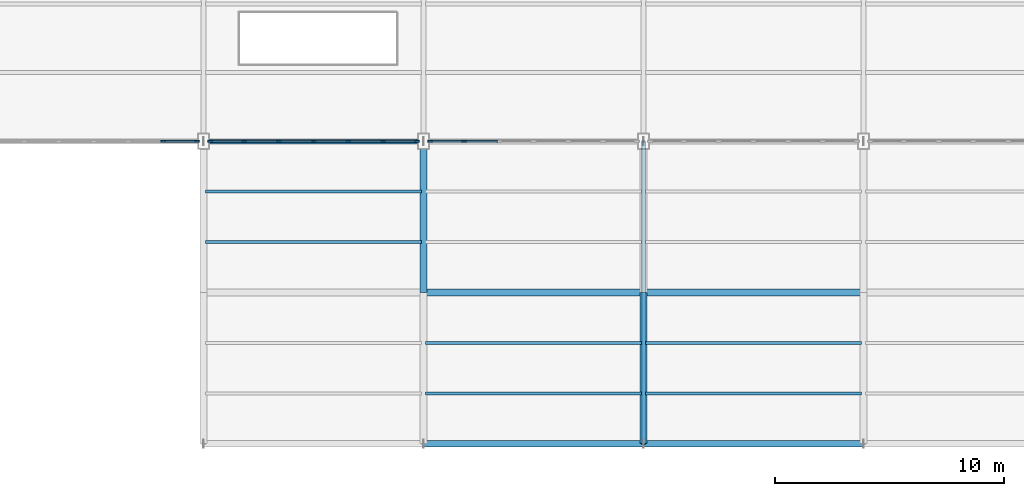
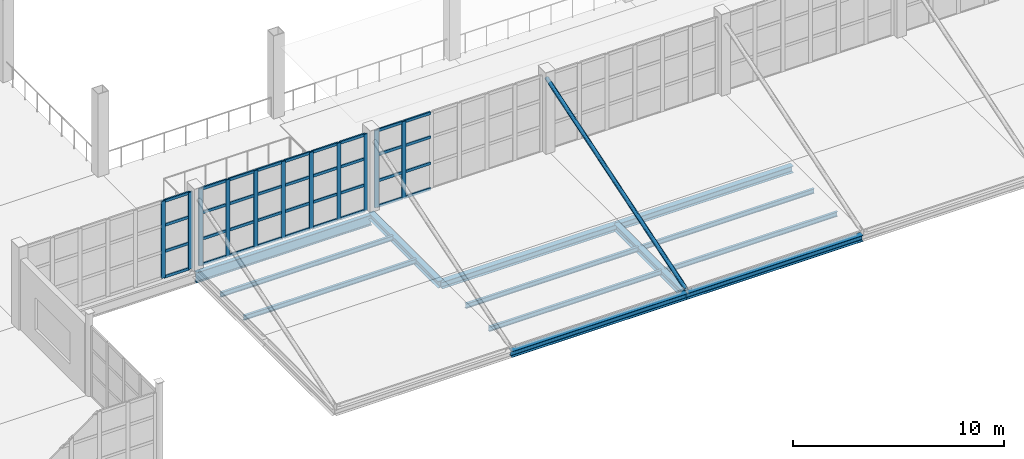
# One storey, part 27 of 120: 48 members, 13 beams, 3 elements without a shape of their own.
"""IFC4 building model written with IfcOpenShell, lengths in metres."""

import ifcopenshell
import ifcopenshell.guid

model = None  # the IFC model being written
_history = None  # IfcOwnerHistory: only IFC2X3 demands one
_inside = {}  # id of a spatial element -> (the spatial element, [elements in it])
_under = {}  # id of a project, library or spatial element -> (it, [spatial elements below it])
_declared = {}  # id of a project -> (the project, [libraries it declares])
_typed = {}  # id of a type object -> (the type object, [elements of that type])
_made_of = {}  # id of a material, layer set ... -> (it, [elements and type objects made of it])


def new_model(schema):
    """Start an empty IFC model of exactly this schema.

    Asked for "IFC4X3", IfcOpenShell would pick the latest addendum, in which some entities
    have other attributes; the version numbers below select the first issue.
    IFC2X3 requires an IfcOwnerHistory on every rooted entity: one is made here for all.
    """
    global model, _history
    if schema == "IFC4X3":
        model = ifcopenshell.file(schema_version=(4, 3, 0, 0))
    else:
        model = ifcopenshell.file(schema=schema)
    _inside.clear()
    _under.clear()
    _declared.clear()
    _typed.clear()
    _made_of.clear()
    _history = None
    if model.schema == "IFC2X3":
        org = make("IfcOrganization", Name="unknown")
        user = make(
            "IfcPersonAndOrganization",
            ThePerson=make("IfcPerson", FamilyName="unknown"),
            TheOrganization=org,
        )
        app = make(
            "IfcApplication",
            ApplicationDeveloper=org,
            Version="unknown",
            ApplicationFullName="unknown",
            ApplicationIdentifier="unknown",
        )
        _history = make(
            "IfcOwnerHistory",
            OwningUser=user,
            OwningApplication=app,
            ChangeAction="ADDED",
            CreationDate=0,
        )
    return model


def make(cls, **values):
    """One entity of the class cls with the attributes given. An attribute that is None is left unset."""
    return model.create_entity(
        cls, **{name: value for name, value in values.items() if value is not None}
    )


def rooted(cls, **values):
    """An entity with a GlobalId (a new one), such as an element, a storey or a relation."""
    return make(cls, GlobalId=ifcopenshell.guid.new(), OwnerHistory=_history, **values)


def si_unit(unit_type, name, prefix=None):
    """IfcSIUnit, for example si_unit("LENGTHUNIT", "METRE", prefix="MILLI")."""
    return make("IfcSIUnit", UnitType=unit_type, Prefix=prefix, Name=name)


def assignment(units):
    """IfcUnitAssignment: the units of a project."""
    return None if units is None else make("IfcUnitAssignment", Units=units)


def point(xyz):
    """IfcCartesianPoint."""
    return None if xyz is None else make("IfcCartesianPoint", Coordinates=xyz)


def direction(xyz):
    """IfcDirection."""
    return None if xyz is None else make("IfcDirection", DirectionRatios=xyz)


def frame(location, z_axis=None, x_axis=None):
    """IfcAxis2Placement3D, a coordinate frame: its origin and axes. An axis left out is left unset."""
    return make(
        "IfcAxis2Placement3D",
        Location=point(location),
        Axis=direction(z_axis),
        RefDirection=direction(x_axis),
    )


def frame_2d(location, x_axis=None):
    """IfcAxis2Placement2D, a coordinate frame in the plane: its origin and x axis."""
    return make(
        "IfcAxis2Placement2D", Location=point(location), RefDirection=direction(x_axis)
    )


def origin():
    """The frame at (0, 0, 0) with its axes left unset."""
    return frame((0.0, 0.0, 0.0))


def origin_2d():
    """The frame at (0, 0) in the plane with its x axis left unset."""
    return frame_2d((0.0, 0.0))


def place(relative_to, where):
    """IfcLocalPlacement: puts the frame where relative to a parent placement (None: the world)."""
    return make(
        "IfcLocalPlacement", PlacementRelTo=relative_to, RelativePlacement=where
    )


def context(
    kind, dimensions, precision=None, world=None, true_north=None, identifier=None
):
    """IfcGeometricRepresentationContext, for example the 3D "Model" context."""
    return make(
        "IfcGeometricRepresentationContext",
        ContextIdentifier=identifier,
        ContextType=kind,
        CoordinateSpaceDimension=dimensions,
        Precision=precision,
        WorldCoordinateSystem=world,
        TrueNorth=true_north,
    )


def subcontext(parent, identifier, kind, view, scale=None):
    """IfcGeometricRepresentationSubContext, for example "Body" below "Model"."""
    return make(
        "IfcGeometricRepresentationSubContext",
        ContextIdentifier=identifier,
        ContextType=kind,
        ParentContext=parent,
        TargetScale=scale,
        TargetView=view,
    )


def project(units=None, contexts=None):
    """IfcProject with its units and contexts."""
    return rooted(
        "IfcProject",
        Name="project",
        RepresentationContexts=contexts,
        UnitsInContext=assignment(units),
    )


def spatial(cls, under=None, at=None, **own):
    """A site, building, storey or space (cls), placed at a placement, below another one or the project."""
    s = rooted(cls, ObjectPlacement=at, **own)
    if under is not None:
        _under.setdefault(under.id(), (under, []))[1].append(s)
    return s


def profile(cls, at=None, kind="AREA", **sizes):
    """A parametric profile (cls). Its sizes go by their IFC names, for example OverallWidth=200.0."""
    return make(cls, ProfileType=kind, Position=at, **sizes)


def rectangle(**sizes):
    """IfcRectangleProfileDef."""
    return profile("IfcRectangleProfileDef", **sizes)


def hollow_circle(**sizes):
    """IfcCircleHollowProfileDef."""
    return profile("IfcCircleHollowProfileDef", **sizes)


def i_section(**sizes):
    """IfcIShapeProfileDef."""
    return profile("IfcIShapeProfileDef", **sizes)


def extrude(swept, where, along, depth):
    """IfcExtrudedAreaSolid: the profile swept, set in the frame where, extruded along a direction by depth."""
    return make(
        "IfcExtrudedAreaSolid",
        SweptArea=swept,
        Position=where,
        ExtrudedDirection=direction(along),
        Depth=depth,
    )


def shape(context_of_items, identifier, shape_type, items):
    """IfcShapeRepresentation: the items that make up one representation, for example the "Body"."""
    return make(
        "IfcShapeRepresentation",
        ContextOfItems=context_of_items,
        RepresentationIdentifier=identifier,
        RepresentationType=shape_type,
        Items=items,
    )


def material(Name=None, Category=None):
    """IfcMaterial."""
    return make("IfcMaterial", Name=Name, Category=Category)


def layer(
    of_material, thickness, ventilated=None, Name=None, Category=None, Priority=None
):
    """IfcMaterialLayer: one layer of a wall or slab, of a material (None: an air gap)."""
    return make(
        "IfcMaterialLayer",
        Material=of_material,
        LayerThickness=thickness,
        IsVentilated=ventilated,
        Name=Name,
        Category=Category,
        Priority=Priority,
    )


def layer_set(layers, Name=None):
    """IfcMaterialLayerSet."""
    return make("IfcMaterialLayerSet", MaterialLayers=layers, LayerSetName=Name)


def material_profile(
    of_material, cross_section, Name=None, Category=None, Priority=None
):
    """IfcMaterialProfile: a cross section and its material."""
    return make(
        "IfcMaterialProfile",
        Name=Name,
        Material=of_material,
        Profile=cross_section,
        Priority=Priority,
        Category=Category,
    )


def profile_set(profiles, Name=None, composite=None):
    """IfcMaterialProfileSet."""
    return make(
        "IfcMaterialProfileSet",
        Name=Name,
        MaterialProfiles=profiles,
        CompositeProfile=composite,
    )


def made_of(thing, what):
    """Note that an element or type object is made of a material, layer set ...; save() writes the relation."""
    if what is not None:
        _made_of.setdefault(what.id(), (what, []))[1].append(thing)
    return thing


def type_object(cls, material=None, **own):
    """A type object (cls), such as IfcWallType, which elements share."""
    return made_of(rooted(cls, **own), material)


def element(
    cls,
    number,
    at=None,
    inside=None,
    cuts=None,
    type_object=None,
    material=None,
    context=None,
    identifier="Body",
    shape_type=None,
    held_by="IfcProductDefinitionShape",
    body=None,
    shapes=None,
    **own,
):
    """One element of the class cls, such as IfcWall. Its Tag is "e" and its number.

    at: its placement. inside: the storey or other place that contains it. cuts: it is an
    opening in that element (IfcRelVoidsElement). A single representation is given by context,
    identifier, shape_type and body (its items); several are given by shapes. held_by: the class
    of the entity that holds the representations. save() writes the other relations.
    """
    e = rooted(cls, Tag="e%d" % number, ObjectPlacement=at, **own)
    if body is not None:
        shapes = [shape(context, identifier, shape_type, body)]
    if shapes is not None:
        e.Representation = make(held_by, Representations=shapes)
    if inside is not None:
        _inside.setdefault(inside.id(), (inside, []))[1].append(e)
    if cuts is not None:
        rooted(
            "IfcRelVoidsElement", RelatingBuildingElement=cuts, RelatedOpeningElement=e
        )
    if type_object is not None:
        _typed.setdefault(type_object.id(), (type_object, []))[1].append(e)
    return made_of(e, material)


def aggregate(whole, parts):
    """IfcRelAggregates: a whole, such as a stair, and the parts it consists of."""
    return rooted("IfcRelAggregates", RelatingObject=whole, RelatedObjects=parts)


def save(model, path):
    """Write the relations noted so far, then the file.

    IfcRelAggregates (storeys below a building ...), IfcRelContainedInSpatialStructure (elements
    in a storey), IfcRelDefinesByType, IfcRelAssociatesMaterial and IfcRelDeclares: one each for
    every whole, place, type object, material and project.
    """
    for whole, parts in _under.values():
        aggregate(whole, parts)
    for where, things in _inside.values():
        rooted(
            "IfcRelContainedInSpatialStructure",
            RelatedElements=things,
            RelatingStructure=where,
        )
    for kind, things in _typed.values():
        rooted("IfcRelDefinesByType", RelatedObjects=things, RelatingType=kind)
    for what, things in _made_of.values():
        rooted("IfcRelAssociatesMaterial", RelatedObjects=things, RelatingMaterial=what)
    for by, libraries in _declared.values():
        rooted("IfcRelDeclares", RelatingContext=by, RelatedDefinitions=libraries)
    model.write(path)


model = new_model("IFC4")

# Units and contexts
model_context = context("Model", 3, precision=1e-05, world=origin(), true_north=direction((0.0, 1.0)))
body_context = subcontext(model_context, "Body", "Model", "MODEL_VIEW")
ifc_project = project(units=[si_unit("LENGTHUNIT", "METRE"), si_unit("AREAUNIT", "SQUARE_METRE"), si_unit("VOLUMEUNIT", "CUBIC_METRE"), si_unit("PLANEANGLEUNIT", "RADIAN"), si_unit("MASSUNIT", "GRAM", prefix="KILO")], contexts=[model_context])

# Site, building, storey
site_placement = place(None, origin())
site = spatial("IfcSite", under=ifc_project, at=site_placement, CompositionType="ELEMENT")
building_placement = place(site_placement, origin())
building = spatial("IfcBuilding", under=site, at=building_placement, Name="Zarnetskaya Central Station", CompositionType="ELEMENT")
storey_placement = place(building_placement, frame((0.0, 0.0, 5.39990234375)))
storey = spatial("IfcBuildingStorey", under=building, at=storey_placement, Name="L01", CompositionType="ELEMENT", Elevation=5.39990234375)

# Beams
ifc_material_1 = material(Name="Steel S355", Category="steel")
ifc_material_profile_1 = material_profile(ifc_material_1, i_section(OverallWidth=0.135009765625, OverallDepth=0.27001953125, WebThickness=0.006591796875, FlangeThickness=0.01025390625, FilletRadius=0.014892578125, at=origin_2d()), Name="IPE 270")
ifc_profile_set_1 = profile_set([ifc_material_profile_1], Name="Steel S355")
beam_type_1 = type_object("IfcBeamType", Name="BM-JST-270", PredefinedType="JOIST", material=ifc_profile_set_1)
for number, where, z_axis, x_axis, name in (
    (1, (67.280029296875, 8.800048828125, -0.294921875), (1.0, 0.0, 0.0), (0.0, 1.0, 0.0), "Secondary floor beam SEC-L01-Z524-HJ-23-1"),
    (2, (67.280029296875, 11.0, -0.294921875), (1.0, 0.0, 0.0), (0.0, 1.0, 0.0), "Secondary floor beam SEC-L01-Z524-HJ-23-2"),
):
    element("IfcBeam", number, at=place(storey_placement, frame(where, z_axis=z_axis, x_axis=x_axis)), inside=storey, type_object=beam_type_1, Name=name, PredefinedType="JOIST", context=body_context, shape_type="SweptSolid", body=[
        extrude(i_section(OverallWidth=0.135009765625, OverallDepth=0.27001953125, WebThickness=0.006591796875, FlangeThickness=0.01025390625, FilletRadius=0.014892578125, at=origin_2d()), origin(), (0.0, 0.0, 1.0), 9.43994140625),
    ])
for number, where, z_axis, x_axis, name in (
    (3, (76.8798828125, 2.199951171875, -0.294921875), (1.0, 0.0, 0.0), (0.0, 1.0, 0.0), "Secondary floor beam SEC-L01-Z524-JK-12-1"),
    (4, (76.8798828125, 4.39990234375, -0.294921875), (1.0, 0.0, 0.0), (0.0, 1.0, 0.0), "Secondary floor beam SEC-L01-Z524-JK-12-2"),
):
    element("IfcBeam", number, at=place(storey_placement, frame(where, z_axis=z_axis, x_axis=x_axis)), inside=storey, type_object=beam_type_1, Name=name, PredefinedType="JOIST", context=body_context, shape_type="SweptSolid", body=[
        extrude(i_section(OverallWidth=0.135009765625, OverallDepth=0.27001953125, WebThickness=0.006591796875, FlangeThickness=0.01025390625, FilletRadius=0.014892578125, at=origin_2d()), origin(), (0.0, 0.0, 1.0), 9.440185546875),
    ])
for number, where, z_axis, x_axis, name in (
    (5, (86.47998046875, 2.199951171875, -0.294921875), (1.0, 0.0, 0.0), (0.0, 1.0, 0.0), "Secondary floor beam SEC-L01-Z524-KL-12-1"),
    (6, (86.47998046875, 4.39990234375, -0.294921875), (1.0, 0.0, 0.0), (0.0, 1.0, 0.0), "Secondary floor beam SEC-L01-Z524-KL-12-2"),
):
    element("IfcBeam", number, at=place(storey_placement, frame(where, z_axis=z_axis, x_axis=x_axis)), inside=storey, type_object=beam_type_1, Name=name, PredefinedType="JOIST", context=body_context, shape_type="SweptSolid", body=[
        extrude(i_section(OverallWidth=0.135009765625, OverallDepth=0.27001953125, WebThickness=0.006591796875, FlangeThickness=0.01025390625, FilletRadius=0.014892578125, at=origin_2d()), origin(), (0.0, 0.0, 1.0), 9.43994140625),
    ])
ifc_material_profile_2 = material_profile(ifc_material_1, i_section(OverallWidth=0.300048828125, OverallDepth=0.35009765625, WebThickness=0.010009765625, FlangeThickness=0.017578125, FilletRadius=0.027099609375, at=origin_2d()), Name="HEA 360")
ifc_profile_set_2 = profile_set([ifc_material_profile_2], Name="Steel S355")
beam_type_2 = type_object("IfcBeamType", Name="BM-SPN-EAVE", PredefinedType="SPANDREL", material=ifc_profile_set_2)
beam_1_placement = place(storey_placement, frame((76.800048828125, 0.0, -0.3349609375), z_axis=(1.0, 0.0, 0.0), x_axis=(0.0, 1.0, 0.0)))
element("IfcBeam", 7, at=beam_1_placement, inside=storey, type_object=beam_type_2, Name="Grid girder GX-L01-1-JK", PredefinedType="SPANDREL", context=body_context, shape_type="SweptSolid", body=[
    extrude(i_section(OverallWidth=0.300048828125, OverallDepth=0.35009765625, WebThickness=0.010009765625, FlangeThickness=0.017578125, FilletRadius=0.027099609375, at=origin_2d()), origin(), (0.0, 0.0, 1.0), 9.599853515625),
])
beam_2_placement = place(storey_placement, frame((86.39990234375, 0.0, -0.3349609375), z_axis=(1.0, 0.0, 0.0), x_axis=(0.0, 1.0, 0.0)))
element("IfcBeam", 8, at=beam_2_placement, inside=storey, type_object=beam_type_2, Name="Grid girder GX-L01-1-KL", PredefinedType="SPANDREL", context=body_context, shape_type="SweptSolid", body=[
    extrude(i_section(OverallWidth=0.300048828125, OverallDepth=0.35009765625, WebThickness=0.010009765625, FlangeThickness=0.017578125, FilletRadius=0.027099609375, at=origin_2d()), origin(), (0.0, 0.0, 1.0), 9.60009765625),
])

# Curtain wall, members
ifc_material_2 = material(Name="Low-E insulated glass", Category="glass")
ifc_layer_1 = layer(ifc_material_2, 0.16796875, Name="Low-E insulated glass", Category="glass")
ifc_layer_set_1 = layer_set([ifc_layer_1], Name="Low-E insulated glass")
curtain_wall_type_1 = type_object("IfcCurtainWallType", Name="CW-SYS-08", PredefinedType="USERDEFINED", material=ifc_layer_set_1)
curtain_wall_1_placement = place(storey_placement, origin())
curtain_wall_1 = element("IfcCurtainWall", 9, at=curtain_wall_1_placement, inside=storey, type_object=curtain_wall_type_1, Name="Curtain wall CW-L01-074", ObjectType="CURTAIN WALL", PredefinedType="USERDEFINED")
ifc_material_3 = material(Name="Anodised aluminium", Category="aluminium")
ifc_material_profile_3 = material_profile(ifc_material_3, rectangle(XDim=0.080078125, YDim=0.219970703125, at=origin_2d()), Name="ALU MULL 80x220")
ifc_profile_set_3 = profile_set([ifc_material_profile_3], Name="Anodised aluminium")
member_type_1 = type_object("IfcMemberType", Name="CW-MULL-220", PredefinedType="MULLION", material=ifc_profile_set_3)
member_1_placement = place(storey_placement, frame((66.909912109375, 13.199951171875, 0.0), z_axis=(0.0, 0.0, 1.0), x_axis=(0.0, -1.0, 0.0)))
member_1 = element("IfcMember", 10, at=member_1_placement, type_object=member_type_1, Name="CW-16 mullion 1", PredefinedType="MULLION", context=body_context, shape_type="SweptSolid", body=[
    extrude(rectangle(XDim=0.080078125, YDim=0.219970703125, at=origin_2d()), origin(), (0.0, 0.0, 1.0), 4.4501953125),
])
member_2_placement = place(storey_placement, frame((65.433349609375, 13.199951171875, 0.0), z_axis=(0.0, 0.0, 1.0), x_axis=(0.0, -1.0, 0.0)))
member_2 = element("IfcMember", 11, at=member_2_placement, type_object=member_type_1, Name="CW-16 mullion 2", PredefinedType="MULLION", context=body_context, shape_type="SweptSolid", body=[
    extrude(rectangle(XDim=0.080078125, YDim=0.219970703125, at=origin_2d()), origin(), (0.0, 0.0, 1.0), 4.4501953125),
])

ifc_layer_2 = layer(ifc_material_2, 0.172119140625, Name="Low-E insulated glass", Category="glass")
ifc_layer_set_2 = layer_set([ifc_layer_2], Name="Low-E insulated glass")
curtain_wall_type_2 = type_object("IfcCurtainWallType", Name="CW-SYS-09", PredefinedType="USERDEFINED", material=ifc_layer_set_2)
curtain_wall_2_placement = place(storey_placement, origin())
curtain_wall_2 = element("IfcCurtainWall", 12, at=curtain_wall_2_placement, inside=storey, type_object=curtain_wall_type_2, Name="Curtain wall CW-L01-076", ObjectType="CURTAIN WALL", PredefinedType="USERDEFINED")
member_3_placement = place(storey_placement, frame((76.510009765625, 13.199951171875, 0.0), z_axis=(0.0, 0.0, 1.0), x_axis=(0.0, -1.0, 0.0)))
member_3 = element("IfcMember", 13, at=member_3_placement, type_object=member_type_1, Name="CW-07 mullion 1", PredefinedType="MULLION", context=body_context, shape_type="SweptSolid", body=[
    extrude(rectangle(XDim=0.080078125, YDim=0.219970703125, at=origin_2d()), origin(), (0.0, 0.0, 1.0), 4.4501953125),
])
member_4_placement = place(storey_placement, frame((75.033447265625, 13.199951171875, 0.0), z_axis=(0.0, 0.0, 1.0), x_axis=(0.0, -1.0, 0.0)))
member_4 = element("IfcMember", 14, at=member_4_placement, type_object=member_type_1, Name="CW-07 mullion 2", PredefinedType="MULLION", context=body_context, shape_type="SweptSolid", body=[
    extrude(rectangle(XDim=0.080078125, YDim=0.219970703125, at=origin_2d()), origin(), (0.0, 0.0, 1.0), 4.4501953125),
])
member_5_placement = place(storey_placement, frame((73.5166015625, 13.199951171875, 0.0), z_axis=(0.0, 0.0, 1.0), x_axis=(0.0, -1.0, 0.0)))
member_5 = element("IfcMember", 15, at=member_5_placement, type_object=member_type_1, Name="CW-07 mullion 3", PredefinedType="MULLION", context=body_context, shape_type="SweptSolid", body=[
    extrude(rectangle(XDim=0.080078125, YDim=0.219970703125, at=origin_2d()), origin(), (0.0, 0.0, 1.0), 4.4501953125),
])
member_6_placement = place(storey_placement, frame((72.0, 13.199951171875, 0.0), z_axis=(0.0, 0.0, 1.0), x_axis=(0.0, -1.0, 0.0)))
member_6 = element("IfcMember", 16, at=member_6_placement, type_object=member_type_1, Name="CW-07 mullion 4", PredefinedType="MULLION", context=body_context, shape_type="SweptSolid", body=[
    extrude(rectangle(XDim=0.080078125, YDim=0.219970703125, at=origin_2d()), origin(), (0.0, 0.0, 1.0), 4.4501953125),
])
member_7_placement = place(storey_placement, frame((70.4833984375, 13.199951171875, 0.0), z_axis=(0.0, 0.0, 1.0), x_axis=(0.0, -1.0, 0.0)))
member_7 = element("IfcMember", 17, at=member_7_placement, type_object=member_type_1, Name="CW-07 mullion 5", PredefinedType="MULLION", context=body_context, shape_type="SweptSolid", body=[
    extrude(rectangle(XDim=0.080078125, YDim=0.219970703125, at=origin_2d()), origin(), (0.0, 0.0, 1.0), 4.4501953125),
])
member_8_placement = place(storey_placement, frame((68.966552734375, 13.199951171875, 0.0), z_axis=(0.0, 0.0, 1.0), x_axis=(0.0, -1.0, 0.0)))
member_8 = element("IfcMember", 18, at=member_8_placement, type_object=member_type_1, Name="CW-07 mullion 6", PredefinedType="MULLION", context=body_context, shape_type="SweptSolid", body=[
    extrude(rectangle(XDim=0.080078125, YDim=0.219970703125, at=origin_2d()), origin(), (0.0, 0.0, 1.0), 4.4501953125),
])
member_9_placement = place(storey_placement, frame((67.489990234375, 13.199951171875, 0.0), z_axis=(0.0, 0.0, 1.0), x_axis=(0.0, -1.0, 0.0)))
member_9 = element("IfcMember", 19, at=member_9_placement, type_object=member_type_1, Name="CW-07 mullion 7", PredefinedType="MULLION", context=body_context, shape_type="SweptSolid", body=[
    extrude(rectangle(XDim=0.080078125, YDim=0.219970703125, at=origin_2d()), origin(), (0.0, 0.0, 1.0), 4.4501953125),
])

ifc_layer_3 = layer(ifc_material_2, 0.176025390625, Name="Low-E insulated glass", Category="glass")
ifc_layer_set_3 = layer_set([ifc_layer_3], Name="Low-E insulated glass")
curtain_wall_type_3 = type_object("IfcCurtainWallType", Name="CW-SYS-10", PredefinedType="USERDEFINED", material=ifc_layer_set_3)
curtain_wall_3_placement = place(storey_placement, origin())
curtain_wall_3 = element("IfcCurtainWall", 20, at=curtain_wall_3_placement, inside=storey, type_object=curtain_wall_type_3, Name="Curtain wall CW-L01-078", ObjectType="CURTAIN WALL", PredefinedType="USERDEFINED")
member_10_placement = place(storey_placement, frame((78.566650390625, 13.199951171875, 0.0), z_axis=(0.0, 0.0, 1.0), x_axis=(0.0, -1.0, 0.0)))
member_10 = element("IfcMember", 21, at=member_10_placement, type_object=member_type_1, Name="CW-13 mullion 6", PredefinedType="MULLION", context=body_context, shape_type="SweptSolid", body=[
    extrude(rectangle(XDim=0.080078125, YDim=0.219970703125, at=origin_2d()), origin(), (0.0, 0.0, 1.0), 4.4501953125),
])
member_11_placement = place(storey_placement, frame((77.090087890625, 13.199951171875, 0.0), z_axis=(0.0, 0.0, 1.0), x_axis=(0.0, -1.0, 0.0)))
member_11 = element("IfcMember", 22, at=member_11_placement, type_object=member_type_1, Name="CW-13 mullion 7", PredefinedType="MULLION", context=body_context, shape_type="SweptSolid", body=[
    extrude(rectangle(XDim=0.080078125, YDim=0.219970703125, at=origin_2d()), origin(), (0.0, 0.0, 1.0), 4.4501953125),
])

# Member
ifc_material_profile_4 = material_profile(ifc_material_3, rectangle(XDim=0.080078125, YDim=0.159912109375, at=origin_2d()), Name="ALU TRAN 80x160")
ifc_profile_set_4 = profile_set([ifc_material_profile_4], Name="Anodised aluminium")
member_type_2 = type_object("IfcMemberType", Name="CW-TRAN-160", PredefinedType="USERDEFINED", material=ifc_profile_set_4)
member_12_placement = place(storey_placement, frame((66.8701171875, 13.199951171875, 0.0400390625), z_axis=(-1.0, 0.0, 0.0), x_axis=(0.0, -1.0, 0.0)))
member_12 = element("IfcMember", 23, at=member_12_placement, type_object=member_type_2, Name="CW-16 transom 1.1", ObjectType="TRANSOM", PredefinedType="USERDEFINED", context=body_context, shape_type="SweptSolid", body=[
    extrude(rectangle(XDim=0.080078125, YDim=0.159912109375, at=origin_2d()), origin(), (0.0, 0.0, 1.0), 1.396728515625),
])

member_13_placement = place(storey_placement, frame((66.8701171875, 13.199951171875, 1.51318359375), z_axis=(-1.0, 0.0, 0.0), x_axis=(0.0, -1.0, 0.0)))
member_13 = element("IfcMember", 24, at=member_13_placement, type_object=member_type_2, Name="CW-16 transom 1.2", ObjectType="TRANSOM", PredefinedType="USERDEFINED", context=body_context, shape_type="SweptSolid", body=[
    extrude(rectangle(XDim=0.080078125, YDim=0.159912109375, at=origin_2d()), origin(), (0.0, 0.0, 1.0), 1.396728515625),
])

member_14_placement = place(storey_placement, frame((66.8701171875, 13.199951171875, 3.026123046875), z_axis=(-1.0, 0.0, 0.0), x_axis=(0.0, -1.0, 0.0)))
member_14 = element("IfcMember", 25, at=member_14_placement, type_object=member_type_2, Name="CW-16 transom 1.3", ObjectType="TRANSOM", PredefinedType="USERDEFINED", context=body_context, shape_type="SweptSolid", body=[
    extrude(rectangle(XDim=0.080078125, YDim=0.159912109375, at=origin_2d()), origin(), (0.0, 0.0, 1.0), 1.396728515625),
])

member_15_placement = place(storey_placement, frame((66.8701171875, 13.199951171875, 4.41015625), z_axis=(-1.0, 0.0, 0.0), x_axis=(0.0, -1.0, 0.0)))
member_15 = element("IfcMember", 26, at=member_15_placement, type_object=member_type_2, Name="CW-16 transom 1.4", ObjectType="TRANSOM", PredefinedType="USERDEFINED", context=body_context, shape_type="SweptSolid", body=[
    extrude(rectangle(XDim=0.080078125, YDim=0.159912109375, at=origin_2d()), origin(), (0.0, 0.0, 1.0), 1.396728515625),
])

aggregate(curtain_wall_1, [member_1, member_2, member_12, member_13, member_14, member_15])

member_16_placement = place(storey_placement, frame((76.469970703125, 13.199951171875, 0.0400390625), z_axis=(-1.0, 0.0, 0.0), x_axis=(0.0, -1.0, 0.0)))
member_16 = element("IfcMember", 27, at=member_16_placement, type_object=member_type_2, Name="CW-07 transom 1.1", ObjectType="TRANSOM", PredefinedType="USERDEFINED", context=body_context, shape_type="SweptSolid", body=[
    extrude(rectangle(XDim=0.080078125, YDim=0.159912109375, at=origin_2d()), origin(), (0.0, 0.0, 1.0), 1.396728515625),
])

member_17_placement = place(storey_placement, frame((76.469970703125, 13.199951171875, 1.51318359375), z_axis=(-1.0, 0.0, 0.0), x_axis=(0.0, -1.0, 0.0)))
member_17 = element("IfcMember", 28, at=member_17_placement, type_object=member_type_2, Name="CW-07 transom 1.2", ObjectType="TRANSOM", PredefinedType="USERDEFINED", context=body_context, shape_type="SweptSolid", body=[
    extrude(rectangle(XDim=0.080078125, YDim=0.159912109375, at=origin_2d()), origin(), (0.0, 0.0, 1.0), 1.396728515625),
])

member_18_placement = place(storey_placement, frame((76.469970703125, 13.199951171875, 3.026123046875), z_axis=(-1.0, 0.0, 0.0), x_axis=(0.0, -1.0, 0.0)))
member_18 = element("IfcMember", 29, at=member_18_placement, type_object=member_type_2, Name="CW-07 transom 1.3", ObjectType="TRANSOM", PredefinedType="USERDEFINED", context=body_context, shape_type="SweptSolid", body=[
    extrude(rectangle(XDim=0.080078125, YDim=0.159912109375, at=origin_2d()), origin(), (0.0, 0.0, 1.0), 1.396728515625),
])

member_19_placement = place(storey_placement, frame((76.469970703125, 13.199951171875, 4.41015625), z_axis=(-1.0, 0.0, 0.0), x_axis=(0.0, -1.0, 0.0)))
member_19 = element("IfcMember", 30, at=member_19_placement, type_object=member_type_2, Name="CW-07 transom 1.4", ObjectType="TRANSOM", PredefinedType="USERDEFINED", context=body_context, shape_type="SweptSolid", body=[
    extrude(rectangle(XDim=0.080078125, YDim=0.159912109375, at=origin_2d()), origin(), (0.0, 0.0, 1.0), 1.396728515625),
])

member_20_placement = place(storey_placement, frame((74.993408203125, 13.199951171875, 0.0400390625), z_axis=(-1.0, 0.0, 0.0), x_axis=(0.0, -1.0, 0.0)))
member_20 = element("IfcMember", 31, at=member_20_placement, type_object=member_type_2, Name="CW-07 transom 2.1", ObjectType="TRANSOM", PredefinedType="USERDEFINED", context=body_context, shape_type="SweptSolid", body=[
    extrude(rectangle(XDim=0.080078125, YDim=0.159912109375, at=origin_2d()), origin(), (0.0, 0.0, 1.0), 1.436767578125),
])

member_21_placement = place(storey_placement, frame((74.993408203125, 13.199951171875, 1.51318359375), z_axis=(-1.0, 0.0, 0.0), x_axis=(0.0, -1.0, 0.0)))
member_21 = element("IfcMember", 32, at=member_21_placement, type_object=member_type_2, Name="CW-07 transom 2.2", ObjectType="TRANSOM", PredefinedType="USERDEFINED", context=body_context, shape_type="SweptSolid", body=[
    extrude(rectangle(XDim=0.080078125, YDim=0.159912109375, at=origin_2d()), origin(), (0.0, 0.0, 1.0), 1.436767578125),
])

member_22_placement = place(storey_placement, frame((74.993408203125, 13.199951171875, 3.026123046875), z_axis=(-1.0, 0.0, 0.0), x_axis=(0.0, -1.0, 0.0)))
member_22 = element("IfcMember", 33, at=member_22_placement, type_object=member_type_2, Name="CW-07 transom 2.3", ObjectType="TRANSOM", PredefinedType="USERDEFINED", context=body_context, shape_type="SweptSolid", body=[
    extrude(rectangle(XDim=0.080078125, YDim=0.159912109375, at=origin_2d()), origin(), (0.0, 0.0, 1.0), 1.436767578125),
])

member_23_placement = place(storey_placement, frame((74.993408203125, 13.199951171875, 4.41015625), z_axis=(-1.0, 0.0, 0.0), x_axis=(0.0, -1.0, 0.0)))
member_23 = element("IfcMember", 34, at=member_23_placement, type_object=member_type_2, Name="CW-07 transom 2.4", ObjectType="TRANSOM", PredefinedType="USERDEFINED", context=body_context, shape_type="SweptSolid", body=[
    extrude(rectangle(XDim=0.080078125, YDim=0.159912109375, at=origin_2d()), origin(), (0.0, 0.0, 1.0), 1.436767578125),
])

member_24_placement = place(storey_placement, frame((73.4765625, 13.199951171875, 0.0400390625), z_axis=(-1.0, 0.0, 0.0), x_axis=(0.0, -1.0, 0.0)))
member_24 = element("IfcMember", 35, at=member_24_placement, type_object=member_type_2, Name="CW-07 transom 3.1", ObjectType="TRANSOM", PredefinedType="USERDEFINED", context=body_context, shape_type="SweptSolid", body=[
    extrude(rectangle(XDim=0.080078125, YDim=0.159912109375, at=origin_2d()), origin(), (0.0, 0.0, 1.0), 1.4365234375),
])

member_25_placement = place(storey_placement, frame((73.4765625, 13.199951171875, 1.51318359375), z_axis=(-1.0, 0.0, 0.0), x_axis=(0.0, -1.0, 0.0)))
member_25 = element("IfcMember", 36, at=member_25_placement, type_object=member_type_2, Name="CW-07 transom 3.2", ObjectType="TRANSOM", PredefinedType="USERDEFINED", context=body_context, shape_type="SweptSolid", body=[
    extrude(rectangle(XDim=0.080078125, YDim=0.159912109375, at=origin_2d()), origin(), (0.0, 0.0, 1.0), 1.4365234375),
])

member_26_placement = place(storey_placement, frame((73.4765625, 13.199951171875, 3.026123046875), z_axis=(-1.0, 0.0, 0.0), x_axis=(0.0, -1.0, 0.0)))
member_26 = element("IfcMember", 37, at=member_26_placement, type_object=member_type_2, Name="CW-07 transom 3.3", ObjectType="TRANSOM", PredefinedType="USERDEFINED", context=body_context, shape_type="SweptSolid", body=[
    extrude(rectangle(XDim=0.080078125, YDim=0.159912109375, at=origin_2d()), origin(), (0.0, 0.0, 1.0), 1.4365234375),
])

member_27_placement = place(storey_placement, frame((73.4765625, 13.199951171875, 4.41015625), z_axis=(-1.0, 0.0, 0.0), x_axis=(0.0, -1.0, 0.0)))
member_27 = element("IfcMember", 38, at=member_27_placement, type_object=member_type_2, Name="CW-07 transom 3.4", ObjectType="TRANSOM", PredefinedType="USERDEFINED", context=body_context, shape_type="SweptSolid", body=[
    extrude(rectangle(XDim=0.080078125, YDim=0.159912109375, at=origin_2d()), origin(), (0.0, 0.0, 1.0), 1.4365234375),
])

member_28_placement = place(storey_placement, frame((71.9599609375, 13.199951171875, 0.0400390625), z_axis=(-1.0, 0.0, 0.0), x_axis=(0.0, -1.0, 0.0)))
member_28 = element("IfcMember", 39, at=member_28_placement, type_object=member_type_2, Name="CW-07 transom 4.1", ObjectType="TRANSOM", PredefinedType="USERDEFINED", context=body_context, shape_type="SweptSolid", body=[
    extrude(rectangle(XDim=0.080078125, YDim=0.159912109375, at=origin_2d()), origin(), (0.0, 0.0, 1.0), 1.4365234375),
])

member_29_placement = place(storey_placement, frame((71.9599609375, 13.199951171875, 1.51318359375), z_axis=(-1.0, 0.0, 0.0), x_axis=(0.0, -1.0, 0.0)))
member_29 = element("IfcMember", 40, at=member_29_placement, type_object=member_type_2, Name="CW-07 transom 4.2", ObjectType="TRANSOM", PredefinedType="USERDEFINED", context=body_context, shape_type="SweptSolid", body=[
    extrude(rectangle(XDim=0.080078125, YDim=0.159912109375, at=origin_2d()), origin(), (0.0, 0.0, 1.0), 1.4365234375),
])

member_30_placement = place(storey_placement, frame((71.9599609375, 13.199951171875, 3.026123046875), z_axis=(-1.0, 0.0, 0.0), x_axis=(0.0, -1.0, 0.0)))
member_30 = element("IfcMember", 41, at=member_30_placement, type_object=member_type_2, Name="CW-07 transom 4.3", ObjectType="TRANSOM", PredefinedType="USERDEFINED", context=body_context, shape_type="SweptSolid", body=[
    extrude(rectangle(XDim=0.080078125, YDim=0.159912109375, at=origin_2d()), origin(), (0.0, 0.0, 1.0), 1.4365234375),
])

member_31_placement = place(storey_placement, frame((71.9599609375, 13.199951171875, 4.41015625), z_axis=(-1.0, 0.0, 0.0), x_axis=(0.0, -1.0, 0.0)))
member_31 = element("IfcMember", 42, at=member_31_placement, type_object=member_type_2, Name="CW-07 transom 4.4", ObjectType="TRANSOM", PredefinedType="USERDEFINED", context=body_context, shape_type="SweptSolid", body=[
    extrude(rectangle(XDim=0.080078125, YDim=0.159912109375, at=origin_2d()), origin(), (0.0, 0.0, 1.0), 1.4365234375),
])

member_32_placement = place(storey_placement, frame((70.443359375, 13.199951171875, 0.0400390625), z_axis=(-1.0, 0.0, 0.0), x_axis=(0.0, -1.0, 0.0)))
member_32 = element("IfcMember", 43, at=member_32_placement, type_object=member_type_2, Name="CW-07 transom 5.1", ObjectType="TRANSOM", PredefinedType="USERDEFINED", context=body_context, shape_type="SweptSolid", body=[
    extrude(rectangle(XDim=0.080078125, YDim=0.159912109375, at=origin_2d()), origin(), (0.0, 0.0, 1.0), 1.436767578125),
])

member_33_placement = place(storey_placement, frame((70.443359375, 13.199951171875, 1.51318359375), z_axis=(-1.0, 0.0, 0.0), x_axis=(0.0, -1.0, 0.0)))
member_33 = element("IfcMember", 44, at=member_33_placement, type_object=member_type_2, Name="CW-07 transom 5.2", ObjectType="TRANSOM", PredefinedType="USERDEFINED", context=body_context, shape_type="SweptSolid", body=[
    extrude(rectangle(XDim=0.080078125, YDim=0.159912109375, at=origin_2d()), origin(), (0.0, 0.0, 1.0), 1.436767578125),
])

member_34_placement = place(storey_placement, frame((70.443359375, 13.199951171875, 3.026123046875), z_axis=(-1.0, 0.0, 0.0), x_axis=(0.0, -1.0, 0.0)))
member_34 = element("IfcMember", 45, at=member_34_placement, type_object=member_type_2, Name="CW-07 transom 5.3", ObjectType="TRANSOM", PredefinedType="USERDEFINED", context=body_context, shape_type="SweptSolid", body=[
    extrude(rectangle(XDim=0.080078125, YDim=0.159912109375, at=origin_2d()), origin(), (0.0, 0.0, 1.0), 1.436767578125),
])

member_35_placement = place(storey_placement, frame((70.443359375, 13.199951171875, 4.41015625), z_axis=(-1.0, 0.0, 0.0), x_axis=(0.0, -1.0, 0.0)))
member_35 = element("IfcMember", 46, at=member_35_placement, type_object=member_type_2, Name="CW-07 transom 5.4", ObjectType="TRANSOM", PredefinedType="USERDEFINED", context=body_context, shape_type="SweptSolid", body=[
    extrude(rectangle(XDim=0.080078125, YDim=0.159912109375, at=origin_2d()), origin(), (0.0, 0.0, 1.0), 1.436767578125),
])

member_36_placement = place(storey_placement, frame((68.9267578125, 13.199951171875, 0.0400390625), z_axis=(-1.0, 0.0, 0.0), x_axis=(0.0, -1.0, 0.0)))
member_36 = element("IfcMember", 47, at=member_36_placement, type_object=member_type_2, Name="CW-07 transom 6.1", ObjectType="TRANSOM", PredefinedType="USERDEFINED", context=body_context, shape_type="SweptSolid", body=[
    extrude(rectangle(XDim=0.080078125, YDim=0.159912109375, at=origin_2d()), origin(), (0.0, 0.0, 1.0), 1.396728515625),
])

member_37_placement = place(storey_placement, frame((68.9267578125, 13.199951171875, 1.51318359375), z_axis=(-1.0, 0.0, 0.0), x_axis=(0.0, -1.0, 0.0)))
member_37 = element("IfcMember", 48, at=member_37_placement, type_object=member_type_2, Name="CW-07 transom 6.2", ObjectType="TRANSOM", PredefinedType="USERDEFINED", context=body_context, shape_type="SweptSolid", body=[
    extrude(rectangle(XDim=0.080078125, YDim=0.159912109375, at=origin_2d()), origin(), (0.0, 0.0, 1.0), 1.396728515625),
])

member_38_placement = place(storey_placement, frame((68.9267578125, 13.199951171875, 3.026123046875), z_axis=(-1.0, 0.0, 0.0), x_axis=(0.0, -1.0, 0.0)))
member_38 = element("IfcMember", 49, at=member_38_placement, type_object=member_type_2, Name="CW-07 transom 6.3", ObjectType="TRANSOM", PredefinedType="USERDEFINED", context=body_context, shape_type="SweptSolid", body=[
    extrude(rectangle(XDim=0.080078125, YDim=0.159912109375, at=origin_2d()), origin(), (0.0, 0.0, 1.0), 1.396728515625),
])

member_39_placement = place(storey_placement, frame((68.9267578125, 13.199951171875, 4.41015625), z_axis=(-1.0, 0.0, 0.0), x_axis=(0.0, -1.0, 0.0)))
member_39 = element("IfcMember", 50, at=member_39_placement, type_object=member_type_2, Name="CW-07 transom 6.4", ObjectType="TRANSOM", PredefinedType="USERDEFINED", context=body_context, shape_type="SweptSolid", body=[
    extrude(rectangle(XDim=0.080078125, YDim=0.159912109375, at=origin_2d()), origin(), (0.0, 0.0, 1.0), 1.396728515625),
])

aggregate(curtain_wall_2, [member_3, member_4, member_5, member_6, member_7, member_8, member_9, member_16, member_17, member_18, member_19, member_20, member_21, member_22, member_23, member_24, member_25, member_26, member_27, member_28, member_29, member_30, member_31, member_32, member_33, member_34, member_35, member_36, member_37, member_38, member_39])

member_40_placement = place(storey_placement, frame((80.043212890625, 13.199951171875, 0.0400390625), z_axis=(-1.0, 0.0, 0.0), x_axis=(0.0, -1.0, 0.0)))
member_40 = element("IfcMember", 51, at=member_40_placement, type_object=member_type_2, Name="CW-13 transom 5.1", ObjectType="TRANSOM", PredefinedType="USERDEFINED", context=body_context, shape_type="SweptSolid", body=[
    extrude(rectangle(XDim=0.080078125, YDim=0.159912109375, at=origin_2d()), origin(), (0.0, 0.0, 1.0), 1.4365234375),
])

member_41_placement = place(storey_placement, frame((80.043212890625, 13.199951171875, 1.51318359375), z_axis=(-1.0, 0.0, 0.0), x_axis=(0.0, -1.0, 0.0)))
member_41 = element("IfcMember", 52, at=member_41_placement, type_object=member_type_2, Name="CW-13 transom 5.2", ObjectType="TRANSOM", PredefinedType="USERDEFINED", context=body_context, shape_type="SweptSolid", body=[
    extrude(rectangle(XDim=0.080078125, YDim=0.159912109375, at=origin_2d()), origin(), (0.0, 0.0, 1.0), 1.4365234375),
])

member_42_placement = place(storey_placement, frame((80.043212890625, 13.199951171875, 3.026123046875), z_axis=(-1.0, 0.0, 0.0), x_axis=(0.0, -1.0, 0.0)))
member_42 = element("IfcMember", 53, at=member_42_placement, type_object=member_type_2, Name="CW-13 transom 5.3", ObjectType="TRANSOM", PredefinedType="USERDEFINED", context=body_context, shape_type="SweptSolid", body=[
    extrude(rectangle(XDim=0.080078125, YDim=0.159912109375, at=origin_2d()), origin(), (0.0, 0.0, 1.0), 1.4365234375),
])

member_43_placement = place(storey_placement, frame((80.043212890625, 13.199951171875, 4.41015625), z_axis=(-1.0, 0.0, 0.0), x_axis=(0.0, -1.0, 0.0)))
member_43 = element("IfcMember", 54, at=member_43_placement, type_object=member_type_2, Name="CW-13 transom 5.4", ObjectType="TRANSOM", PredefinedType="USERDEFINED", context=body_context, shape_type="SweptSolid", body=[
    extrude(rectangle(XDim=0.080078125, YDim=0.159912109375, at=origin_2d()), origin(), (0.0, 0.0, 1.0), 1.4365234375),
])

member_44_placement = place(storey_placement, frame((78.526611328125, 13.199951171875, 0.0400390625), z_axis=(-1.0, 0.0, 0.0), x_axis=(0.0, -1.0, 0.0)))
member_44 = element("IfcMember", 55, at=member_44_placement, type_object=member_type_2, Name="CW-13 transom 6.1", ObjectType="TRANSOM", PredefinedType="USERDEFINED", context=body_context, shape_type="SweptSolid", body=[
    extrude(rectangle(XDim=0.080078125, YDim=0.159912109375, at=origin_2d()), origin(), (0.0, 0.0, 1.0), 1.396728515625),
])

member_45_placement = place(storey_placement, frame((78.526611328125, 13.199951171875, 1.51318359375), z_axis=(-1.0, 0.0, 0.0), x_axis=(0.0, -1.0, 0.0)))
member_45 = element("IfcMember", 56, at=member_45_placement, type_object=member_type_2, Name="CW-13 transom 6.2", ObjectType="TRANSOM", PredefinedType="USERDEFINED", context=body_context, shape_type="SweptSolid", body=[
    extrude(rectangle(XDim=0.080078125, YDim=0.159912109375, at=origin_2d()), origin(), (0.0, 0.0, 1.0), 1.396728515625),
])

member_46_placement = place(storey_placement, frame((78.526611328125, 13.199951171875, 3.026123046875), z_axis=(-1.0, 0.0, 0.0), x_axis=(0.0, -1.0, 0.0)))
member_46 = element("IfcMember", 57, at=member_46_placement, type_object=member_type_2, Name="CW-13 transom 6.3", ObjectType="TRANSOM", PredefinedType="USERDEFINED", context=body_context, shape_type="SweptSolid", body=[
    extrude(rectangle(XDim=0.080078125, YDim=0.159912109375, at=origin_2d()), origin(), (0.0, 0.0, 1.0), 1.396728515625),
])

member_47_placement = place(storey_placement, frame((78.526611328125, 13.199951171875, 4.41015625), z_axis=(-1.0, 0.0, 0.0), x_axis=(0.0, -1.0, 0.0)))
member_47 = element("IfcMember", 58, at=member_47_placement, type_object=member_type_2, Name="CW-13 transom 6.4", ObjectType="TRANSOM", PredefinedType="USERDEFINED", context=body_context, shape_type="SweptSolid", body=[
    extrude(rectangle(XDim=0.080078125, YDim=0.159912109375, at=origin_2d()), origin(), (0.0, 0.0, 1.0), 1.396728515625),
])

aggregate(curtain_wall_3, [member_10, member_11, member_40, member_41, member_42, member_43, member_44, member_45, member_46, member_47])

# Beams
ifc_material_profile_5 = material_profile(ifc_material_1, i_section(OverallWidth=0.219970703125, OverallDepth=0.60009765625, WebThickness=0.011962890625, FlangeThickness=0.01904296875, FilletRadius=0.02392578125, at=origin_2d()), Name="IPE 600")
ifc_profile_set_5 = profile_set([ifc_material_profile_5], Name="Steel S355")
beam_type_3 = type_object("IfcBeamType", Name="GD-FLR-600", PredefinedType="USERDEFINED", material=ifc_profile_set_5)
beam_3_placement = place(storey_placement, frame((67.199951171875, 13.199951171875, -0.579833984375), z_axis=(1.0, 0.0, 0.0), x_axis=(0.0, 1.0, 0.0)))
element("IfcBeam", 59, at=beam_3_placement, inside=storey, type_object=beam_type_3, Name="Grid girder GX-L01-3-HJ", ObjectType="GIRDER", PredefinedType="USERDEFINED", context=body_context, shape_type="SweptSolid", body=[
    extrude(i_section(OverallWidth=0.219970703125, OverallDepth=0.60009765625, WebThickness=0.011962890625, FlangeThickness=0.01904296875, FilletRadius=0.02392578125, at=origin_2d()), origin(), (0.0, 0.0, 1.0), 9.60009765625),
])
ifc_material_profile_6 = material_profile(ifc_material_1, i_section(OverallWidth=0.300048828125, OverallDepth=0.389892578125, WebThickness=0.010986328125, FlangeThickness=0.01904296875, FilletRadius=0.027099609375, at=origin_2d()), Name="HEA 400")
ifc_profile_set_6 = profile_set([ifc_material_profile_6], Name="Steel S355")
beam_type_4 = type_object("IfcBeamType", Name="GD-ROOF-400", PredefinedType="USERDEFINED", material=ifc_profile_set_6)
beam_4_placement = place(storey_placement, frame((76.800048828125, 6.60009765625, -0.35498046875), z_axis=(0.0, 1.0, 0.0), x_axis=(-1.0, 0.0, 0.0)))
element("IfcBeam", 60, at=beam_4_placement, inside=storey, type_object=beam_type_4, Name="Grid girder GY-L01-J-23", ObjectType="GIRDER", PredefinedType="USERDEFINED", context=body_context, shape_type="SweptSolid", body=[
    extrude(i_section(OverallWidth=0.300048828125, OverallDepth=0.389892578125, WebThickness=0.010986328125, FlangeThickness=0.01904296875, FilletRadius=0.027099609375, at=origin_2d()), origin(), (0.0, 0.0, 1.0), 6.599853515625),
])
beam_5_placement = place(storey_placement, frame((76.800048828125, 6.60009765625, -0.35498046875), z_axis=(1.0, 0.0, 0.0), x_axis=(0.0, 1.0, 0.0)))
element("IfcBeam", 61, at=beam_5_placement, inside=storey, type_object=beam_type_4, Name="Grid girder GX-L01-2-JK", ObjectType="GIRDER", PredefinedType="USERDEFINED", context=body_context, shape_type="SweptSolid", body=[
    extrude(i_section(OverallWidth=0.300048828125, OverallDepth=0.389892578125, WebThickness=0.010986328125, FlangeThickness=0.01904296875, FilletRadius=0.027099609375, at=origin_2d()), origin(), (0.0, 0.0, 1.0), 9.599853515625),
])
beam_6_placement = place(storey_placement, frame((86.39990234375, 0.0, -0.35498046875), z_axis=(0.0, 1.0, 0.0), x_axis=(-1.0, 0.0, 0.0)))
element("IfcBeam", 62, at=beam_6_placement, inside=storey, type_object=beam_type_4, Name="Grid girder GY-L01-K-12", ObjectType="GIRDER", PredefinedType="USERDEFINED", context=body_context, shape_type="SweptSolid", body=[
    extrude(i_section(OverallWidth=0.300048828125, OverallDepth=0.389892578125, WebThickness=0.010986328125, FlangeThickness=0.01904296875, FilletRadius=0.027099609375, at=origin_2d()), origin(), (0.0, 0.0, 1.0), 6.60009765625),
])
beam_7_placement = place(storey_placement, frame((86.39990234375, 6.60009765625, -0.35498046875), z_axis=(1.0, 0.0, 0.0), x_axis=(0.0, 1.0, 0.0)))
element("IfcBeam", 63, at=beam_7_placement, inside=storey, type_object=beam_type_4, Name="Grid girder GX-L01-2-KL", ObjectType="GIRDER", PredefinedType="USERDEFINED", context=body_context, shape_type="SweptSolid", body=[
    extrude(i_section(OverallWidth=0.300048828125, OverallDepth=0.389892578125, WebThickness=0.010986328125, FlangeThickness=0.01904296875, FilletRadius=0.027099609375, at=origin_2d()), origin(), (0.0, 0.0, 1.0), 9.60009765625),
])

# Member
ifc_material_profile_7 = material_profile(ifc_material_1, hollow_circle(Radius=0.109619140625, WallThickness=0.010009765625, at=origin_2d()), Name="CHS 219.1x10")
ifc_profile_set_7 = profile_set([ifc_material_profile_7], Name="Steel S355")
member_type_3 = type_object("IfcMemberType", Name="MB-FCAN-TIE", PredefinedType="STRUT", material=ifc_profile_set_7)
member_48_placement = place(storey_placement, frame((86.39990234375, 13.199951171875, 4.2001953125), z_axis=(0.0, -0.952671589455, -0.304001385926), x_axis=(1.0, 0.0, 0.0)))
element("IfcMember", 64, at=member_48_placement, inside=storey, type_object=member_type_3, Name="Forecourt canopy suspension tie K", PredefinedType="STRUT", context=body_context, shape_type="SweptSolid", body=[
    extrude(hollow_circle(Radius=0.109619140625, WallThickness=0.010009765625, at=origin_2d()), origin(), (0.0, 0.0, 1.0), 13.855712890625),
])

save(model, "model.ifc")
